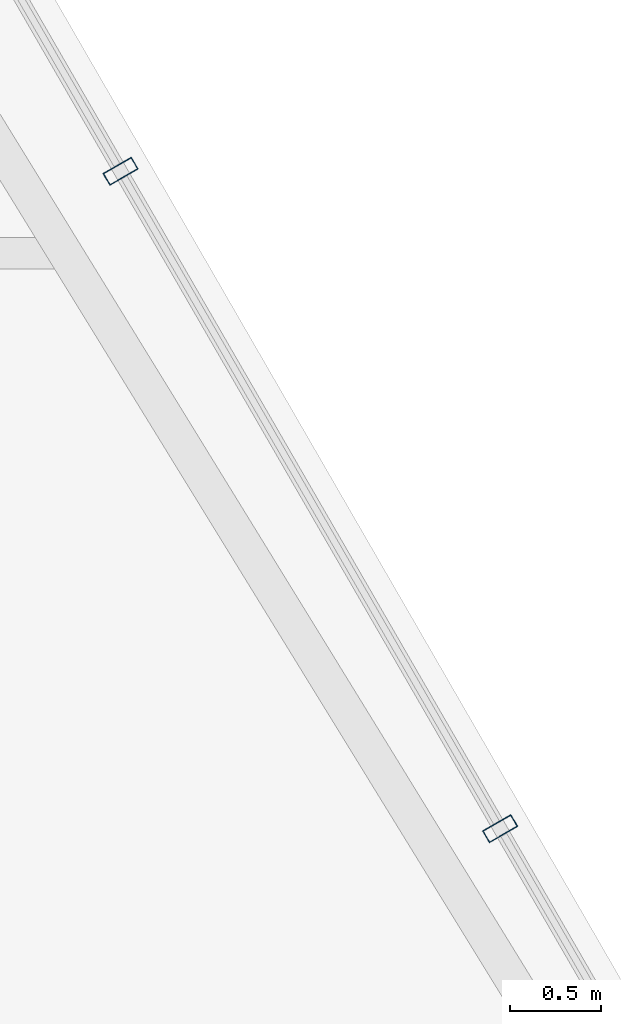
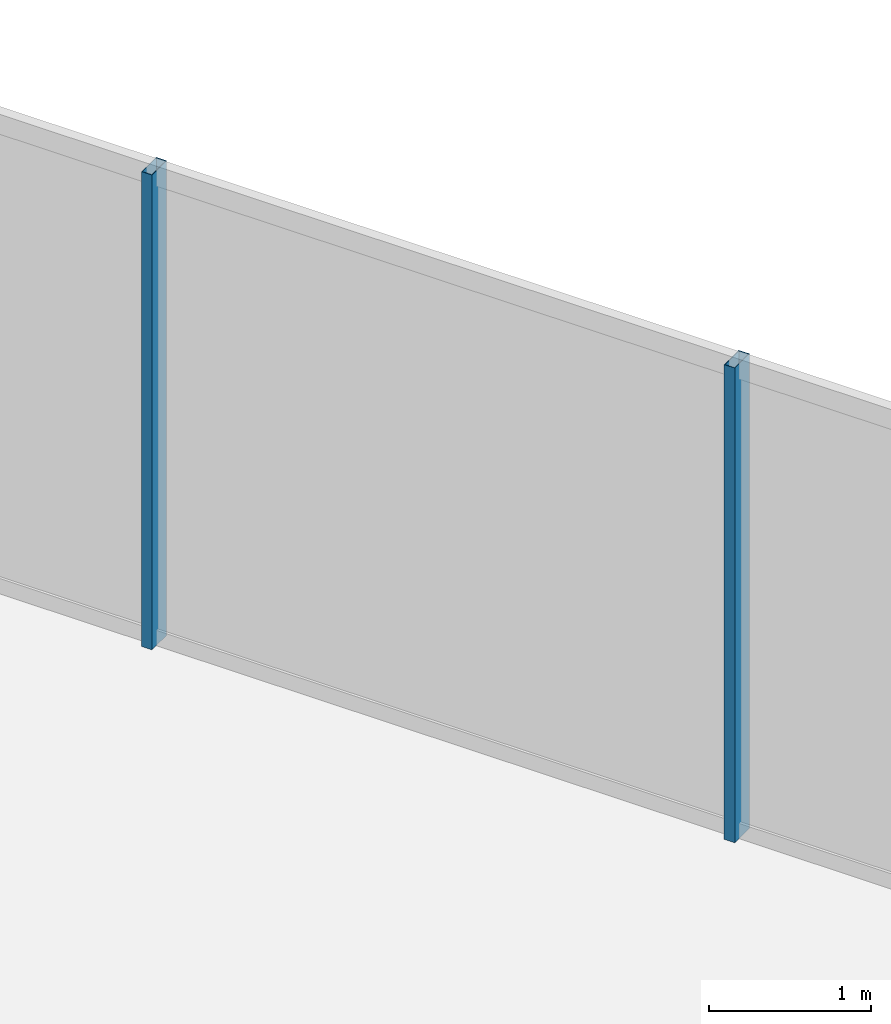
# One storey, part 21 of 35: 2 members, 1 element without a shape of its own.
"""IFC4 building model written with IfcOpenShell, lengths in metres."""

import ifcopenshell
import ifcopenshell.guid

model = None  # the IFC model being written
_history = None  # IfcOwnerHistory: only IFC2X3 demands one
_inside = {}  # id of a spatial element -> (the spatial element, [elements in it])
_under = {}  # id of a project, library or spatial element -> (it, [spatial elements below it])
_declared = {}  # id of a project -> (the project, [libraries it declares])
_typed = {}  # id of a type object -> (the type object, [elements of that type])
_made_of = {}  # id of a material, layer set ... -> (it, [elements and type objects made of it])


def new_model(schema):
    """Start an empty IFC model of exactly this schema.

    Asked for "IFC4X3", IfcOpenShell would pick the latest addendum, in which some entities
    have other attributes; the version numbers below select the first issue.
    IFC2X3 requires an IfcOwnerHistory on every rooted entity: one is made here for all.
    """
    global model, _history
    if schema == "IFC4X3":
        model = ifcopenshell.file(schema_version=(4, 3, 0, 0))
    else:
        model = ifcopenshell.file(schema=schema)
    _inside.clear()
    _under.clear()
    _declared.clear()
    _typed.clear()
    _made_of.clear()
    _history = None
    if model.schema == "IFC2X3":
        org = make("IfcOrganization", Name="unknown")
        user = make(
            "IfcPersonAndOrganization",
            ThePerson=make("IfcPerson", FamilyName="unknown"),
            TheOrganization=org,
        )
        app = make(
            "IfcApplication",
            ApplicationDeveloper=org,
            Version="unknown",
            ApplicationFullName="unknown",
            ApplicationIdentifier="unknown",
        )
        _history = make(
            "IfcOwnerHistory",
            OwningUser=user,
            OwningApplication=app,
            ChangeAction="ADDED",
            CreationDate=0,
        )
    return model


def make(cls, **values):
    """One entity of the class cls with the attributes given. An attribute that is None is left unset."""
    return model.create_entity(
        cls, **{name: value for name, value in values.items() if value is not None}
    )


def rooted(cls, **values):
    """An entity with a GlobalId (a new one), such as an element, a storey or a relation."""
    return make(cls, GlobalId=ifcopenshell.guid.new(), OwnerHistory=_history, **values)


def si_unit(unit_type, name, prefix=None):
    """IfcSIUnit, for example si_unit("LENGTHUNIT", "METRE", prefix="MILLI")."""
    return make("IfcSIUnit", UnitType=unit_type, Prefix=prefix, Name=name)


def assignment(units):
    """IfcUnitAssignment: the units of a project."""
    return None if units is None else make("IfcUnitAssignment", Units=units)


def point(xyz):
    """IfcCartesianPoint."""
    return None if xyz is None else make("IfcCartesianPoint", Coordinates=xyz)


def direction(xyz):
    """IfcDirection."""
    return None if xyz is None else make("IfcDirection", DirectionRatios=xyz)


def frame(location, z_axis=None, x_axis=None):
    """IfcAxis2Placement3D, a coordinate frame: its origin and axes. An axis left out is left unset."""
    return make(
        "IfcAxis2Placement3D",
        Location=point(location),
        Axis=direction(z_axis),
        RefDirection=direction(x_axis),
    )


def frame_2d(location, x_axis=None):
    """IfcAxis2Placement2D, a coordinate frame in the plane: its origin and x axis."""
    return make(
        "IfcAxis2Placement2D", Location=point(location), RefDirection=direction(x_axis)
    )


def origin():
    """The frame at (0, 0, 0) with its axes left unset."""
    return frame((0.0, 0.0, 0.0))


def origin_2d():
    """The frame at (0, 0) in the plane with its x axis left unset."""
    return frame_2d((0.0, 0.0))


def place(relative_to, where):
    """IfcLocalPlacement: puts the frame where relative to a parent placement (None: the world)."""
    return make(
        "IfcLocalPlacement", PlacementRelTo=relative_to, RelativePlacement=where
    )


def context(
    kind, dimensions, precision=None, world=None, true_north=None, identifier=None
):
    """IfcGeometricRepresentationContext, for example the 3D "Model" context."""
    return make(
        "IfcGeometricRepresentationContext",
        ContextIdentifier=identifier,
        ContextType=kind,
        CoordinateSpaceDimension=dimensions,
        Precision=precision,
        WorldCoordinateSystem=world,
        TrueNorth=true_north,
    )


def subcontext(parent, identifier, kind, view, scale=None):
    """IfcGeometricRepresentationSubContext, for example "Body" below "Model"."""
    return make(
        "IfcGeometricRepresentationSubContext",
        ContextIdentifier=identifier,
        ContextType=kind,
        ParentContext=parent,
        TargetScale=scale,
        TargetView=view,
    )


def project(units=None, contexts=None):
    """IfcProject with its units and contexts."""
    return rooted(
        "IfcProject",
        Name="project",
        RepresentationContexts=contexts,
        UnitsInContext=assignment(units),
    )


def spatial(cls, under=None, at=None, **own):
    """A site, building, storey or space (cls), placed at a placement, below another one or the project."""
    s = rooted(cls, ObjectPlacement=at, **own)
    if under is not None:
        _under.setdefault(under.id(), (under, []))[1].append(s)
    return s


def profile(cls, at=None, kind="AREA", **sizes):
    """A parametric profile (cls). Its sizes go by their IFC names, for example OverallWidth=200.0."""
    return make(cls, ProfileType=kind, Position=at, **sizes)


def hollow_rectangle(**sizes):
    """IfcRectangleHollowProfileDef."""
    return profile("IfcRectangleHollowProfileDef", **sizes)


def extrude(swept, where, along, depth):
    """IfcExtrudedAreaSolid: the profile swept, set in the frame where, extruded along a direction by depth."""
    return make(
        "IfcExtrudedAreaSolid",
        SweptArea=swept,
        Position=where,
        ExtrudedDirection=direction(along),
        Depth=depth,
    )


def shape(context_of_items, identifier, shape_type, items):
    """IfcShapeRepresentation: the items that make up one representation, for example the "Body"."""
    return make(
        "IfcShapeRepresentation",
        ContextOfItems=context_of_items,
        RepresentationIdentifier=identifier,
        RepresentationType=shape_type,
        Items=items,
    )


def material(Name=None, Category=None):
    """IfcMaterial."""
    return make("IfcMaterial", Name=Name, Category=Category)


def layer(
    of_material, thickness, ventilated=None, Name=None, Category=None, Priority=None
):
    """IfcMaterialLayer: one layer of a wall or slab, of a material (None: an air gap)."""
    return make(
        "IfcMaterialLayer",
        Material=of_material,
        LayerThickness=thickness,
        IsVentilated=ventilated,
        Name=Name,
        Category=Category,
        Priority=Priority,
    )


def layer_set(layers, Name=None):
    """IfcMaterialLayerSet."""
    return make("IfcMaterialLayerSet", MaterialLayers=layers, LayerSetName=Name)


def material_profile(
    of_material, cross_section, Name=None, Category=None, Priority=None
):
    """IfcMaterialProfile: a cross section and its material."""
    return make(
        "IfcMaterialProfile",
        Name=Name,
        Material=of_material,
        Profile=cross_section,
        Priority=Priority,
        Category=Category,
    )


def profile_set(profiles, Name=None, composite=None):
    """IfcMaterialProfileSet."""
    return make(
        "IfcMaterialProfileSet",
        Name=Name,
        MaterialProfiles=profiles,
        CompositeProfile=composite,
    )


def made_of(thing, what):
    """Note that an element or type object is made of a material, layer set ...; save() writes the relation."""
    if what is not None:
        _made_of.setdefault(what.id(), (what, []))[1].append(thing)
    return thing


def type_object(cls, material=None, **own):
    """A type object (cls), such as IfcWallType, which elements share."""
    return made_of(rooted(cls, **own), material)


def element(
    cls,
    number,
    at=None,
    inside=None,
    cuts=None,
    type_object=None,
    material=None,
    context=None,
    identifier="Body",
    shape_type=None,
    held_by="IfcProductDefinitionShape",
    body=None,
    shapes=None,
    **own,
):
    """One element of the class cls, such as IfcWall. Its Tag is "e" and its number.

    at: its placement. inside: the storey or other place that contains it. cuts: it is an
    opening in that element (IfcRelVoidsElement). A single representation is given by context,
    identifier, shape_type and body (its items); several are given by shapes. held_by: the class
    of the entity that holds the representations. save() writes the other relations.
    """
    e = rooted(cls, Tag="e%d" % number, ObjectPlacement=at, **own)
    if body is not None:
        shapes = [shape(context, identifier, shape_type, body)]
    if shapes is not None:
        e.Representation = make(held_by, Representations=shapes)
    if inside is not None:
        _inside.setdefault(inside.id(), (inside, []))[1].append(e)
    if cuts is not None:
        rooted(
            "IfcRelVoidsElement", RelatingBuildingElement=cuts, RelatedOpeningElement=e
        )
    if type_object is not None:
        _typed.setdefault(type_object.id(), (type_object, []))[1].append(e)
    return made_of(e, material)


def aggregate(whole, parts):
    """IfcRelAggregates: a whole, such as a stair, and the parts it consists of."""
    return rooted("IfcRelAggregates", RelatingObject=whole, RelatedObjects=parts)


def save(model, path):
    """Write the relations noted so far, then the file.

    IfcRelAggregates (storeys below a building ...), IfcRelContainedInSpatialStructure (elements
    in a storey), IfcRelDefinesByType, IfcRelAssociatesMaterial and IfcRelDeclares: one each for
    every whole, place, type object, material and project.
    """
    for whole, parts in _under.values():
        aggregate(whole, parts)
    for where, things in _inside.values():
        rooted(
            "IfcRelContainedInSpatialStructure",
            RelatedElements=things,
            RelatingStructure=where,
        )
    for kind, things in _typed.values():
        rooted("IfcRelDefinesByType", RelatedObjects=things, RelatingType=kind)
    for what, things in _made_of.values():
        rooted("IfcRelAssociatesMaterial", RelatedObjects=things, RelatingMaterial=what)
    for by, libraries in _declared.values():
        rooted("IfcRelDeclares", RelatingContext=by, RelatedDefinitions=libraries)
    model.write(path)


model = new_model("IFC4")

# Units and contexts
model_context = context("Model", 3, precision=1e-05, world=origin(), true_north=direction((0.0, 1.0)))
body_context = subcontext(model_context, "Body", "Model", "MODEL_VIEW")
ifc_project = project(units=[si_unit("LENGTHUNIT", "METRE"), si_unit("AREAUNIT", "SQUARE_METRE"), si_unit("VOLUMEUNIT", "CUBIC_METRE"), si_unit("PLANEANGLEUNIT", "RADIAN"), si_unit("MASSUNIT", "GRAM", prefix="KILO")], contexts=[model_context])

# Site, building, storey
site_placement = place(None, origin())
site = spatial("IfcSite", under=ifc_project, at=site_placement, CompositionType="ELEMENT")
building_placement = place(site_placement, origin())
building = spatial("IfcBuilding", under=site, at=building_placement, Name="Ndaravel Arena Tower", CompositionType="ELEMENT")
storey_placement = place(building_placement, frame((0.0, 0.0, 180.199951171875)))
storey = spatial("IfcBuildingStorey", under=building, at=storey_placement, Name="L43", CompositionType="ELEMENT", Elevation=180.199951171875)

# Curtain wall, members
ifc_material_1 = material(Name="Aluminium", Category="aluminium")
ifc_layer = layer(ifc_material_1, 0.179931640625)
ifc_layer_set = layer_set([ifc_layer], Name="Aluminium")
curtain_wall_type = type_object("IfcCurtainWallType", Name="CW-SYS-03", PredefinedType="NOTDEFINED", material=ifc_layer_set)
curtain_wall_placement = place(storey_placement, origin())
curtain_wall = element("IfcCurtainWall", 1, at=curtain_wall_placement, inside=storey, type_object=curtain_wall_type, Name="L43 Faceted Crystal Curtain Wall CW-L43-E03", PredefinedType="NOTDEFINED")
ifc_material_2 = material(Name="Aluminium", Category="aluminium")
ifc_material_profile = material_profile(ifc_material_2, hollow_rectangle(XDim=0.074951171875, YDim=0.179931640625, WallThickness=0.00390625, at=origin_2d()), Name="CW MULLION 75x180x4")
ifc_profile_set = profile_set([ifc_material_profile], Name="Aluminium")
member_type = type_object("IfcMemberType", Name="MEM-CW-MUL180", PredefinedType="MULLION", material=ifc_profile_set)
member_1_placement = place(storey_placement, frame((55.331298828125, 31.850341796875, 0.0), z_axis=(0.0, 0.0, 1.0), x_axis=(-0.5, 0.866025403784, 0.0)))
member_1 = element("IfcMember", 2, at=member_1_placement, type_object=member_type, Name="CW-L43-E03 Mullion 05", PredefinedType="MULLION", context=body_context, shape_type="SweptSolid", body=[
    extrude(hollow_rectangle(XDim=0.074951171875, YDim=0.179931640625, WallThickness=0.00390625, at=origin_2d()), origin(), (0.0, 0.0, 1.0), 3.580078125),
])
member_2_placement = place(storey_placement, frame((53.25341796875, 35.44970703125, 0.0), z_axis=(0.0, 0.0, 1.0), x_axis=(-0.5, 0.866025403784, 0.0)))
member_2 = element("IfcMember", 3, at=member_2_placement, type_object=member_type, Name="CW-L43-E03 Mullion 06", PredefinedType="MULLION", context=body_context, shape_type="SweptSolid", body=[
    extrude(hollow_rectangle(XDim=0.074951171875, YDim=0.179931640625, WallThickness=0.00390625, at=origin_2d()), origin(), (0.0, 0.0, 1.0), 3.580078125),
])
aggregate(curtain_wall, [member_1, member_2])

save(model, "model.ifc")
